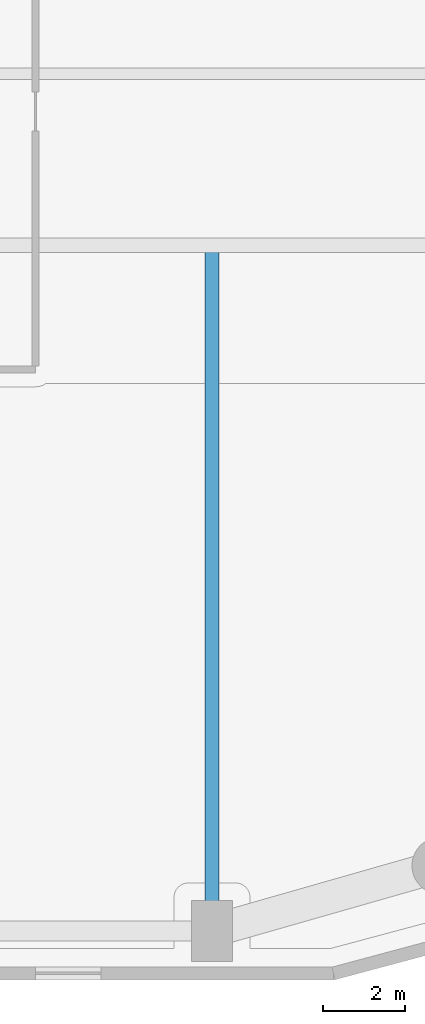
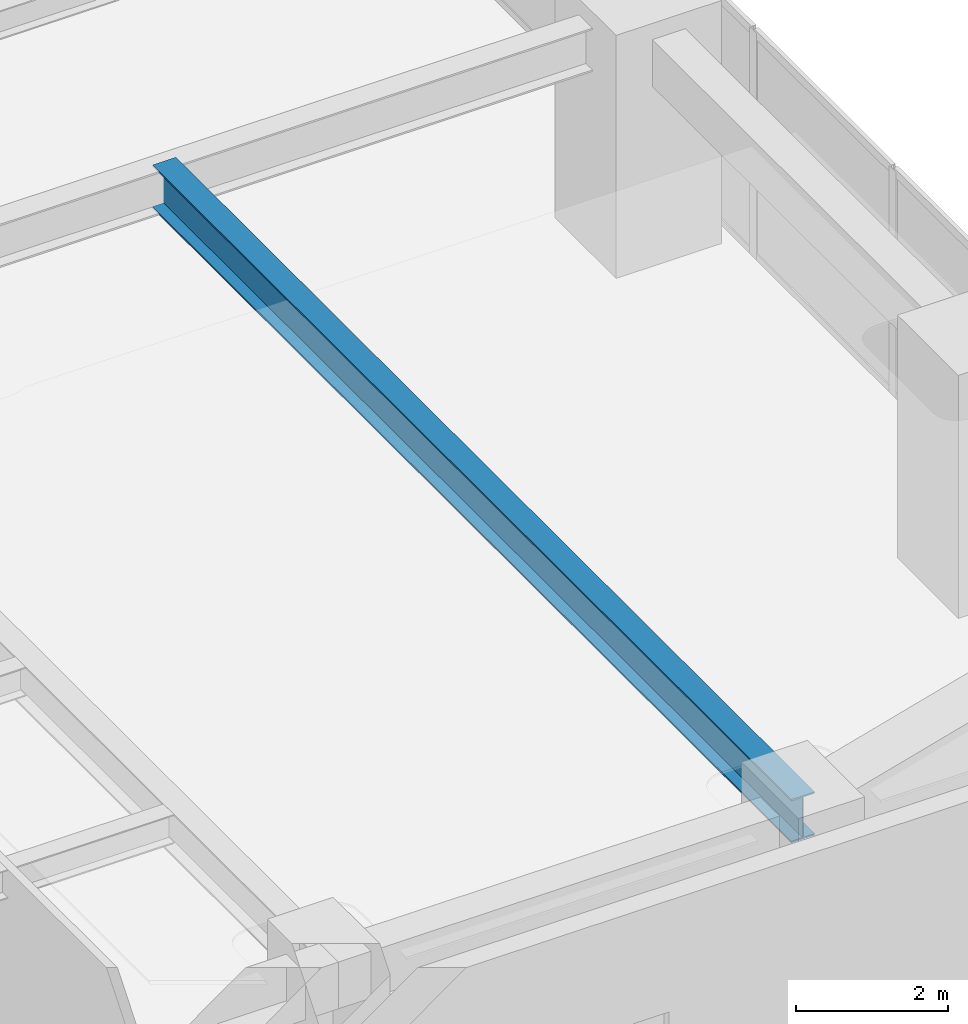
# One storey, part 5 of 28: 1 beam.
"""IFC4 building model written with IfcOpenShell, lengths in metres."""

from ifc_helpers import new_model, si_unit, direction, frame, origin, origin_2d, place, context, subcontext, project, spatial, i_section, extrude, material, material_profile, profile_set, type_object, element, save


model = new_model("IFC4")

# Units and contexts
model_context = context("Model", 3, precision=1e-05, world=origin(), true_north=direction((0.0, 1.0)))
body_context = subcontext(model_context, "Body", "Model", "MODEL_VIEW")
ifc_project = project(units=[si_unit("LENGTHUNIT", "METRE"), si_unit("AREAUNIT", "SQUARE_METRE"), si_unit("VOLUMEUNIT", "CUBIC_METRE"), si_unit("PLANEANGLEUNIT", "RADIAN"), si_unit("MASSUNIT", "GRAM", prefix="KILO")], contexts=[model_context])

# Site, building, storey
site_placement = place(None, origin())
site = spatial("IfcSite", under=ifc_project, at=site_placement, CompositionType="ELEMENT")
building_placement = place(site_placement, origin())
building = spatial("IfcBuilding", under=site, at=building_placement, Name="Kiyonajd Concourse Tower", CompositionType="ELEMENT")
storey_placement = place(building_placement, frame((0.0, 0.0, 56.699951171875)))
storey = spatial("IfcBuildingStorey", under=building, at=storey_placement, Name="L15", CompositionType="ELEMENT", Elevation=56.699951171875)

# Beam
ifc_material = material(Name="Steel ASTM A992 Grade 50", Category="steel")
ifc_material_profile = material_profile(ifc_material, i_section(OverallWidth=0.35498046875, OverallDepth=0.695068359375, WebThickness=0.015380859375, FlangeThickness=0.02490234375, at=origin_2d()), Name="W690X217")
ifc_profile_set = profile_set([ifc_material_profile], Name="Steel ASTM A992 Grade 50")
beam_type = type_object("IfcBeamType", Name="BM-TWR-690", PredefinedType="BEAM", material=ifc_profile_set)
beam_placement = place(storey_placement, frame((70.800048828125, 10.800048828125, 3.29248046875), z_axis=(0.0, 1.0, 0.0), x_axis=(-1.0, 0.0, 0.0)))
element("IfcBeam", 1, at=beam_placement, inside=storey, type_object=beam_type, Name="L15 South Lease Girder", PredefinedType="BEAM", context=body_context, shape_type="SweptSolid", body=[
    extrude(i_section(OverallWidth=0.35498046875, OverallDepth=0.695068359375, WebThickness=0.015380859375, FlangeThickness=0.02490234375, at=origin_2d()), origin(), (0.0, 0.0, 1.0), 16.800048828125),
])

save(model, "model.ifc")
